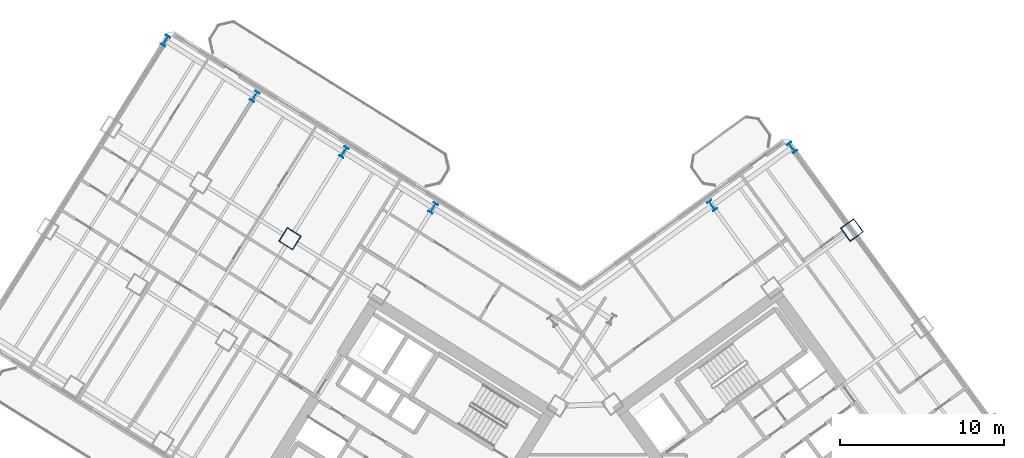
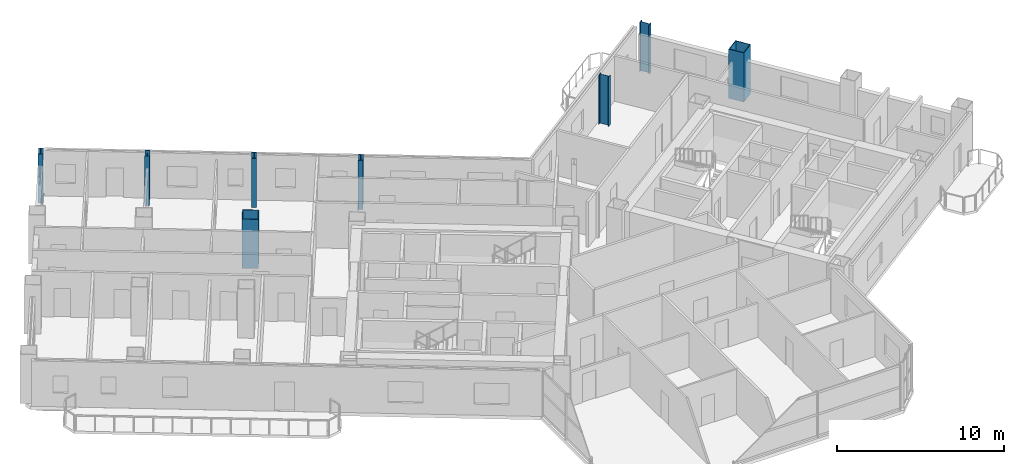
# One storey, part 3 of 21: 8 columns.
"""IFC4 building model written with IfcOpenShell, lengths in metres."""

from ifc_helpers import new_model, si_unit, direction, frame, origin, origin_2d, place, context, subcontext, project, spatial, hollow_rectangle, i_section, extrude, source, transform, mapped, material, material_profile, profile_set, type_object, element, save


model = new_model("IFC4")

# Units and contexts
model_context = context("Model", 3, precision=1e-05, world=origin(), true_north=direction((0.0, 1.0)))
body_context = subcontext(model_context, "Body", "Model", "MODEL_VIEW")
ifc_project = project(units=[si_unit("LENGTHUNIT", "METRE"), si_unit("AREAUNIT", "SQUARE_METRE"), si_unit("VOLUMEUNIT", "CUBIC_METRE"), si_unit("PLANEANGLEUNIT", "RADIAN"), si_unit("MASSUNIT", "GRAM", prefix="KILO")], contexts=[model_context])

# Site, building, storey
site_placement = place(None, origin())
site = spatial("IfcSite", under=ifc_project, at=site_placement, CompositionType="ELEMENT")
building_placement = place(site_placement, origin())
building = spatial("IfcBuilding", under=site, at=building_placement, Name="Tlacorven Tower", CompositionType="ELEMENT")
storey_placement = place(building_placement, frame((0.0, 0.0, 81.0)))
storey = spatial("IfcBuildingStorey", under=building, at=storey_placement, Name="L20", CompositionType="ELEMENT", Elevation=81.0)

# Columns
ifc_material = material(Name="Steel S460M", Category="steel")
ifc_material_profile_1 = material_profile(ifc_material, hollow_rectangle(XDim=1.0, YDim=1.0, WallThickness=0.0400390625, at=origin_2d()), Name="BOX 1000X1000X40")
ifc_profile_set_1 = profile_set([ifc_material_profile_1], Name="Steel S460M")
column_type_1 = type_object("IfcColumnType", Name="COL-TWR-S1", PredefinedType="COLUMN", material=ifc_profile_set_1)
shared_shape_1 = source(origin(), body_context, "Body", "SweptSolid", [
    extrude(hollow_rectangle(XDim=1.0, YDim=1.0, WallThickness=0.0400390625, at=origin_2d()), origin(), (0.0, 0.0, 1.0), 3.60009765625),
])
for number, where, z_axis, x_axis, name in (
    (1, (24.50048828125, 34.642822265625, 0.0), (0.0, 0.0, 1.0), (-0.848048096156, 0.529919264233, 0.0), "L20 column COL-L20-W4-2"),
    (2, (58.68603515625, 35.165283203125, 0.0), (0.0, 0.0, 1.0), (0.809016994375, 0.587785252292, 0.0), "L20 column COL-L20-E4-3"),
):
    element("IfcColumn", number, at=place(storey_placement, frame(where, z_axis=z_axis, x_axis=x_axis)), inside=storey, type_object=column_type_1, Name=name, PredefinedType="COLUMN", context=body_context, shape_type="MappedRepresentation", body=[
        mapped(shared_shape_1, transform((0.0, 0.0, 0.0), scale=1.0)),
    ])
ifc_material_profile_2 = material_profile(ifc_material, i_section(OverallWidth=0.300048828125, OverallDepth=0.64990234375, WebThickness=0.01611328125, FlangeThickness=0.031005859375, at=origin_2d()), Name="HEB 650")
ifc_profile_set_2 = profile_set([ifc_material_profile_2], Name="Steel S460M")
column_type_2 = type_object("IfcColumnType", Name="COL-TWR-P1", PredefinedType="COLUMN", material=ifc_profile_set_2)
shared_shape_2 = source(origin(), body_context, "Body", "SweptSolid", [
    extrude(i_section(OverallWidth=0.300048828125, OverallDepth=0.64990234375, WebThickness=0.01611328125, FlangeThickness=0.031005859375, at=origin_2d()), origin(), (0.0, 0.0, 1.0), 3.60009765625),
])
for number, where, z_axis, x_axis, name in (
    (3, (33.21337890625, 36.50927734375, 0.0), (0.0, 0.0, 1.0), (-0.848048096156, 0.529919264233, 0.0), "L20 column COL-L20-W3-1"),
    (4, (27.785888671875, 39.900634765625, 0.0), (0.0, 0.0, 1.0), (-0.848048096156, 0.529919264233, 0.0), "L20 column COL-L20-W4-1"),
    (5, (22.3583984375, 43.292236328125, 0.0), (0.0, 0.0, 1.0), (-0.848048096156, 0.529919264233, 0.0), "L20 column COL-L20-W5-1"),
    (6, (16.930908203125, 46.68359375, 0.0), (0.0, 0.0, 1.0), (-0.848048096156, 0.529919264233, 0.0), "L20 column COL-L20-W6-1"),
    (7, (50.187744140625, 36.654296875, 0.0), (0.0, 0.0, 1.0), (0.809016994375, 0.587785252292, 0.0), "L20 column COL-L20-E3-4"),
    (8, (55.041748046875, 40.18115234375, 0.0), (0.0, 0.0, 1.0), (0.809016994375, 0.587785252292, 0.0), "L20 column COL-L20-E4-4"),
):
    element("IfcColumn", number, at=place(storey_placement, frame(where, z_axis=z_axis, x_axis=x_axis)), inside=storey, type_object=column_type_2, Name=name, PredefinedType="COLUMN", context=body_context, shape_type="MappedRepresentation", body=[
        mapped(shared_shape_2, transform((0.0, 0.0, 0.0), scale=1.0)),
    ])

save(model, "model.ifc")
